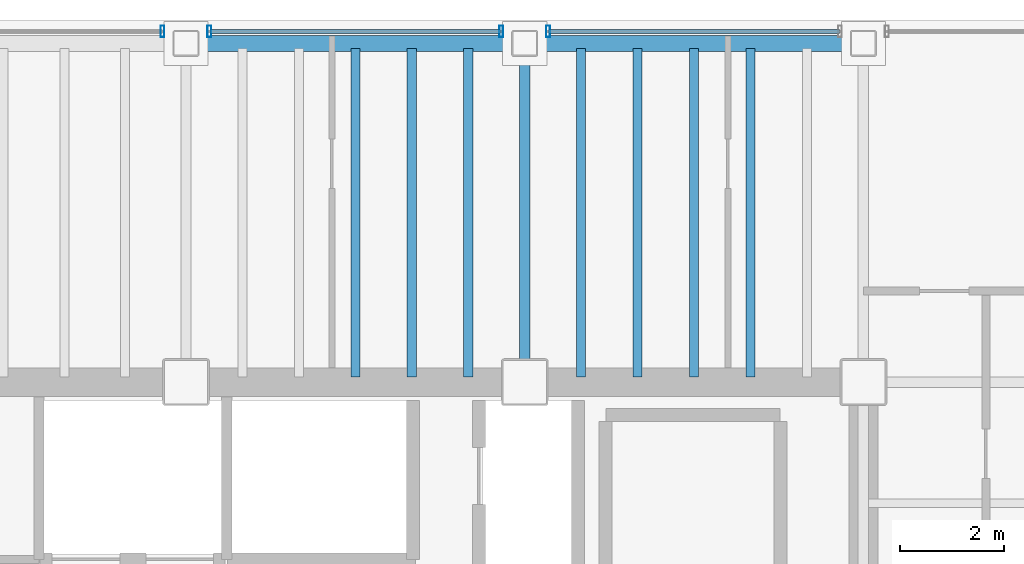
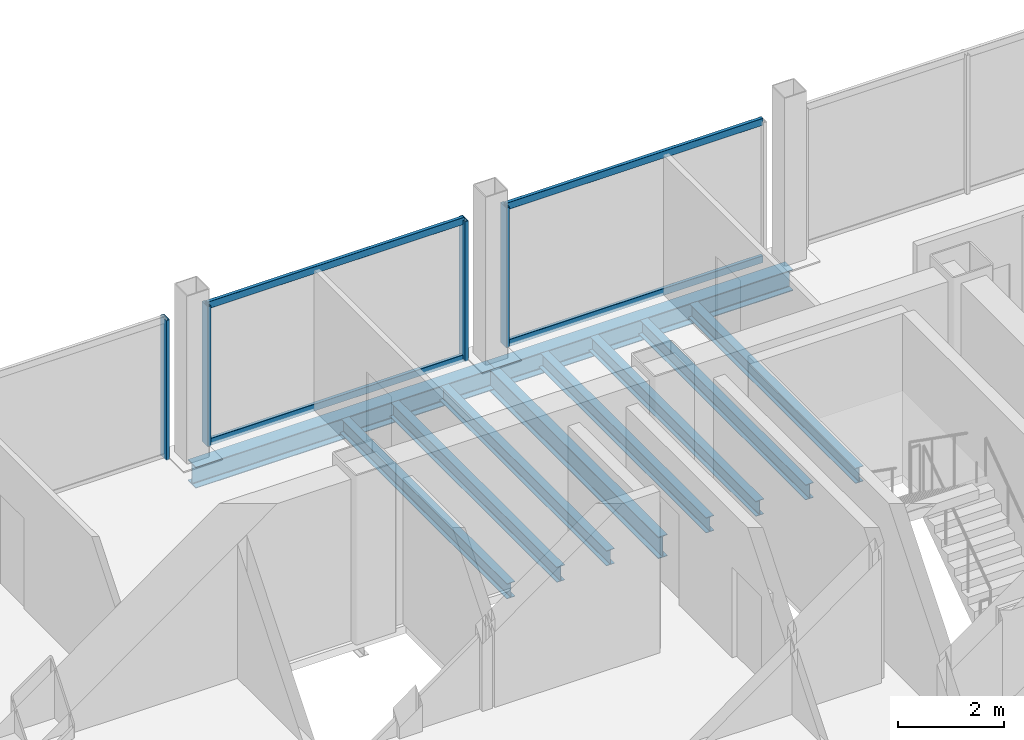
# One storey, part 9 of 15: 10 beams, 8 members, 3 elements without a shape of their own.
"""IFC4 building model written with IfcOpenShell, lengths in metres."""

from ifc_helpers import new_model, si_unit, direction, frame, origin, origin_2d, place, context, subcontext, project, spatial, hollow_rectangle, i_section, extrude, material, material_profile, profile_set, type_object, element, aggregate, save


model = new_model("IFC4")

# Units and contexts
model_context = context("Model", 3, precision=1e-05, world=origin(), true_north=direction((0.0, 1.0)))
body_context = subcontext(model_context, "Body", "Model", "MODEL_VIEW")
ifc_project = project(units=[si_unit("LENGTHUNIT", "METRE"), si_unit("AREAUNIT", "SQUARE_METRE"), si_unit("VOLUMEUNIT", "CUBIC_METRE"), si_unit("PLANEANGLEUNIT", "RADIAN"), si_unit("MASSUNIT", "GRAM", prefix="KILO")], contexts=[model_context])

# Site, building, storey
site_placement = place(None, origin())
site = spatial("IfcSite", under=ifc_project, at=site_placement, CompositionType="ELEMENT")
building_placement = place(site_placement, origin())
building = spatial("IfcBuilding", under=site, at=building_placement, Name="Noeulbin Bourse Tower", CompositionType="ELEMENT")
storey_placement = place(building_placement, frame((0.0, 0.0, 173.39990234375)))
storey = spatial("IfcBuildingStorey", under=building, at=storey_placement, Name="L43", CompositionType="ELEMENT", Elevation=173.39990234375)

# Beams
ifc_material_1 = material(Name="Steel S355", Category="steel")
ifc_material_profile_1 = material_profile(ifc_material_1, i_section(OverallWidth=0.199951171875, OverallDepth=0.5, WebThickness=0.010009765625, FlangeThickness=0.01611328125, FilletRadius=0.02001953125, at=origin_2d()), Name="H-500x200x10x16", Category="LoadBearing")
ifc_profile_set_1 = profile_set([ifc_material_profile_1], Name="Steel S355")
beam_type_1 = type_object("IfcBeamType", Name="BM-GRD-500", PredefinedType="USERDEFINED", material=ifc_profile_set_1)
beam_placement = place(storey_placement, frame((37.5, 38.300048828125, -0.429931640625), z_axis=(0.0, 1.0, 0.0), x_axis=(-1.0, 0.0, 0.0)))
element("IfcBeam", 1, at=beam_placement, inside=storey, type_object=beam_type_1, Name="Tower Primary Girder NS L43-4.4", ObjectType="GIRDER", PredefinedType="USERDEFINED", context=body_context, shape_type="SweptSolid", body=[
    extrude(i_section(OverallWidth=0.199951171875, OverallDepth=0.5, WebThickness=0.010009765625, FlangeThickness=0.01611328125, FilletRadius=0.02001953125, at=origin_2d()), origin(), (0.0, 0.0, 1.0), 6.5),
])
ifc_material_profile_2 = material_profile(ifc_material_1, i_section(OverallWidth=0.175048828125, OverallDepth=0.35009765625, WebThickness=0.007080078125, FlangeThickness=0.010986328125, FilletRadius=0.013916015625, at=origin_2d()), Name="H-350x175x7x11", Category="LoadBearing")
ifc_profile_set_2 = profile_set([ifc_material_profile_2], Name="Steel S355")
beam_type_2 = type_object("IfcBeamType", Name="BM-JST-350", PredefinedType="JOIST", material=ifc_profile_set_2)
for number, where, z_axis, x_axis, name in (
    (2, (34.25, 38.39990234375, -0.35498046875), (0.0, 1.0, 0.0), (-1.0, 0.0, 0.0), "Tower Composite Joist L43-45"),
    (3, (35.333251953125, 38.39990234375, -0.35498046875), (0.0, 1.0, 0.0), (-1.0, 0.0, 0.0), "Tower Composite Joist L43-48"),
    (4, (36.416748046875, 38.39990234375, -0.35498046875), (0.0, 1.0, 0.0), (-1.0, 0.0, 0.0), "Tower Composite Joist L43-51"),
    (5, (38.583251953125, 38.39990234375, -0.35498046875), (0.0, 1.0, 0.0), (-1.0, 0.0, 0.0), "Tower Composite Joist L43-54"),
    (6, (39.666748046875, 38.39990234375, -0.35498046875), (0.0, 1.0, 0.0), (-1.0, 0.0, 0.0), "Tower Composite Joist L43-57"),
    (7, (40.75, 38.39990234375, -0.35498046875), (0.0, 1.0, 0.0), (-1.0, 0.0, 0.0), "Tower Composite Joist L43-60"),
    (8, (41.833251953125, 38.39990234375, -0.35498046875), (0.0, 1.0, 0.0), (-1.0, 0.0, 0.0), "Tower Composite Joist L43-63"),
):
    element("IfcBeam", number, at=place(storey_placement, frame(where, z_axis=z_axis, x_axis=x_axis)), inside=storey, type_object=beam_type_2, Name=name, PredefinedType="JOIST", context=body_context, shape_type="SweptSolid", body=[
        extrude(i_section(OverallWidth=0.175048828125, OverallDepth=0.35009765625, WebThickness=0.007080078125, FlangeThickness=0.010986328125, FilletRadius=0.013916015625, at=origin_2d()), origin(), (0.0, 0.0, 1.0), 6.300048828125),
    ])
ifc_material_profile_3 = material_profile(ifc_material_1, i_section(OverallWidth=0.300048828125, OverallDepth=0.488037109375, WebThickness=0.010986328125, FlangeThickness=0.01806640625, FilletRadius=0.02197265625, at=origin_2d()), Name="H-488x300x11x18", Category="LoadBearing")
ifc_profile_set_3 = profile_set([ifc_material_profile_3], Name="Steel S355")
beam_type_3 = type_object("IfcBeamType", Name="BM-SPN-488", PredefinedType="SPANDREL", material=ifc_profile_set_3)
for number, where, z_axis, x_axis, name in (
    (9, (31.0, 44.800048828125, -0.423828125), (1.0, 0.0, 0.0), (0.0, 1.0, 0.0), "North Spandrel L43-3"),
    (10, (37.5, 44.800048828125, -0.423828125), (1.0, 0.0, 0.0), (0.0, 1.0, 0.0), "North Spandrel L43-4"),
):
    element("IfcBeam", number, at=place(storey_placement, frame(where, z_axis=z_axis, x_axis=x_axis)), inside=storey, type_object=beam_type_3, Name=name, PredefinedType="SPANDREL", context=body_context, shape_type="SweptSolid", body=[
        extrude(i_section(OverallWidth=0.300048828125, OverallDepth=0.488037109375, WebThickness=0.010986328125, FlangeThickness=0.01806640625, FilletRadius=0.02197265625, at=origin_2d()), origin(), (0.0, 0.0, 1.0), 6.5),
    ])

# Curtain wall, member
ifc_material_2 = material(Name="Dark Tinted Triple Glazing", Category="glass")
curtain_wall_type = type_object("IfcCurtainWallType", Name="CW-SYS-3", PredefinedType="NOTDEFINED", material=ifc_material_2)
curtain_wall_1_placement = place(storey_placement, origin())
curtain_wall_1 = element("IfcCurtainWall", 11, at=curtain_wall_1_placement, inside=storey, type_object=curtain_wall_type, Name="Unitised Curtain Wall CW-L43-N-S2", PredefinedType="NOTDEFINED")
ifc_material_3 = material(Name="Anodised Aluminium 6063-T6", Category="aluminium")
ifc_material_profile_4 = material_profile(ifc_material_3, hollow_rectangle(XDim=0.074951171875, YDim=0.219970703125, WallThickness=0.0048828125, InnerFilletRadius=0.00244140625, OuterFilletRadius=0.0048828125, at=origin_2d()), Name="ALU-MULL-75x220x5", Category="LoadBearing")
ifc_profile_set_4 = profile_set([ifc_material_profile_4], Name="Anodised Aluminium 6063-T6")
member_type_1 = type_object("IfcMemberType", Name="CW-SYS-3-MUL", PredefinedType="MULLION", material=ifc_profile_set_4)
member_1_placement = place(storey_placement, frame((30.550048828125, 45.030029296875, -0.02001953125), z_axis=(0.0, 0.0, 1.0), x_axis=(1.0, 0.0, 0.0)))
member_1 = element("IfcMember", 12, at=member_1_placement, type_object=member_type_1, Name="Curtain Wall Mullion CW-L43-N-S2-M01", PredefinedType="MULLION", context=body_context, shape_type="SweptSolid", body=[
    extrude(hollow_rectangle(XDim=0.074951171875, YDim=0.219970703125, WallThickness=0.0048828125, InnerFilletRadius=0.00244140625, OuterFilletRadius=0.0048828125, at=origin_2d()), origin(), (0.0, 0.0, 1.0), 3.22021484375),
])
aggregate(curtain_wall_1, [member_1])

# Curtain wall, members
curtain_wall_2_placement = place(storey_placement, origin())
curtain_wall_2 = element("IfcCurtainWall", 13, at=curtain_wall_2_placement, inside=storey, type_object=curtain_wall_type, Name="Unitised Curtain Wall CW-L43-N-S3", PredefinedType="NOTDEFINED")
member_2_placement = place(storey_placement, frame((31.449951171875, 45.030029296875, -0.02001953125), z_axis=(0.0, 0.0, 1.0), x_axis=(1.0, 0.0, 0.0)))
member_2 = element("IfcMember", 14, at=member_2_placement, type_object=member_type_1, Name="Curtain Wall Mullion CW-L43-N-S3-M00", PredefinedType="MULLION", context=body_context, shape_type="SweptSolid", body=[
    extrude(hollow_rectangle(XDim=0.074951171875, YDim=0.219970703125, WallThickness=0.0048828125, InnerFilletRadius=0.00244140625, OuterFilletRadius=0.0048828125, at=origin_2d()), origin(), (0.0, 0.0, 1.0), 3.22021484375),
])
member_3_placement = place(storey_placement, frame((37.050048828125, 45.030029296875, -0.02001953125), z_axis=(0.0, 0.0, 1.0), x_axis=(1.0, 0.0, 0.0)))
member_3 = element("IfcMember", 15, at=member_3_placement, type_object=member_type_1, Name="Curtain Wall Mullion CW-L43-N-S3-M01", PredefinedType="MULLION", context=body_context, shape_type="SweptSolid", body=[
    extrude(hollow_rectangle(XDim=0.074951171875, YDim=0.219970703125, WallThickness=0.0048828125, InnerFilletRadius=0.00244140625, OuterFilletRadius=0.0048828125, at=origin_2d()), origin(), (0.0, 0.0, 1.0), 3.22021484375),
])

# Curtain wall, member
curtain_wall_3_placement = place(storey_placement, origin())
curtain_wall_3 = element("IfcCurtainWall", 16, at=curtain_wall_3_placement, inside=storey, type_object=curtain_wall_type, Name="Unitised Curtain Wall CW-L43-N-S4", PredefinedType="NOTDEFINED")
member_4_placement = place(storey_placement, frame((37.949951171875, 45.030029296875, -0.02001953125), z_axis=(0.0, 0.0, 1.0), x_axis=(1.0, 0.0, 0.0)))
member_4 = element("IfcMember", 17, at=member_4_placement, type_object=member_type_1, Name="Curtain Wall Mullion CW-L43-N-S4-M00", PredefinedType="MULLION", context=body_context, shape_type="SweptSolid", body=[
    extrude(hollow_rectangle(XDim=0.074951171875, YDim=0.219970703125, WallThickness=0.0048828125, InnerFilletRadius=0.00244140625, OuterFilletRadius=0.0048828125, at=origin_2d()), origin(), (0.0, 0.0, 1.0), 3.22021484375),
])

# Member
ifc_material_profile_5 = material_profile(ifc_material_3, hollow_rectangle(XDim=0.074951171875, YDim=0.159912109375, WallThickness=0.0048828125, InnerFilletRadius=0.00244140625, OuterFilletRadius=0.0048828125, at=origin_2d()), Name="ALU-TRAN-75x160x5", Category="LoadBearing")
ifc_profile_set_5 = profile_set([ifc_material_profile_5], Name="Anodised Aluminium 6063-T6")
member_type_2 = type_object("IfcMemberType", Name="CW-SYS-3-TRN", PredefinedType="USERDEFINED", material=ifc_profile_set_5)
member_5_placement = place(storey_placement, frame((31.4599609375, 45.030029296875, 0.010009765625), z_axis=(1.0, 0.0, 0.0), x_axis=(0.0, 1.0, 0.0)))
member_5 = element("IfcMember", 18, at=member_5_placement, type_object=member_type_2, Name="Curtain Wall Transom CW-L43-N-S3-T00", ObjectType="TRANSOM", PredefinedType="USERDEFINED", context=body_context, shape_type="SweptSolid", body=[
    extrude(hollow_rectangle(XDim=0.074951171875, YDim=0.159912109375, WallThickness=0.0048828125, InnerFilletRadius=0.00244140625, OuterFilletRadius=0.0048828125, at=origin_2d()), origin(), (0.0, 0.0, 1.0), 5.580078125),
])

member_6_placement = place(storey_placement, frame((31.4599609375, 45.030029296875, 3.170166015625), z_axis=(1.0, 0.0, 0.0), x_axis=(0.0, 1.0, 0.0)))
member_6 = element("IfcMember", 19, at=member_6_placement, type_object=member_type_2, Name="Curtain Wall Transom CW-L43-N-S3-T01", ObjectType="TRANSOM", PredefinedType="USERDEFINED", context=body_context, shape_type="SweptSolid", body=[
    extrude(hollow_rectangle(XDim=0.074951171875, YDim=0.159912109375, WallThickness=0.0048828125, InnerFilletRadius=0.00244140625, OuterFilletRadius=0.0048828125, at=origin_2d()), origin(), (0.0, 0.0, 1.0), 5.580078125),
])

aggregate(curtain_wall_2, [member_2, member_3, member_5, member_6])

member_7_placement = place(storey_placement, frame((37.9599609375, 45.030029296875, 0.010009765625), z_axis=(1.0, 0.0, 0.0), x_axis=(0.0, 1.0, 0.0)))
member_7 = element("IfcMember", 20, at=member_7_placement, type_object=member_type_2, Name="Curtain Wall Transom CW-L43-N-S4-T00", ObjectType="TRANSOM", PredefinedType="USERDEFINED", context=body_context, shape_type="SweptSolid", body=[
    extrude(hollow_rectangle(XDim=0.074951171875, YDim=0.159912109375, WallThickness=0.0048828125, InnerFilletRadius=0.00244140625, OuterFilletRadius=0.0048828125, at=origin_2d()), origin(), (0.0, 0.0, 1.0), 5.580078125),
])

member_8_placement = place(storey_placement, frame((37.9599609375, 45.030029296875, 3.170166015625), z_axis=(1.0, 0.0, 0.0), x_axis=(0.0, 1.0, 0.0)))
member_8 = element("IfcMember", 21, at=member_8_placement, type_object=member_type_2, Name="Curtain Wall Transom CW-L43-N-S4-T01", ObjectType="TRANSOM", PredefinedType="USERDEFINED", context=body_context, shape_type="SweptSolid", body=[
    extrude(hollow_rectangle(XDim=0.074951171875, YDim=0.159912109375, WallThickness=0.0048828125, InnerFilletRadius=0.00244140625, OuterFilletRadius=0.0048828125, at=origin_2d()), origin(), (0.0, 0.0, 1.0), 5.580078125),
])

aggregate(curtain_wall_3, [member_4, member_7, member_8])

save(model, "model.ifc")
